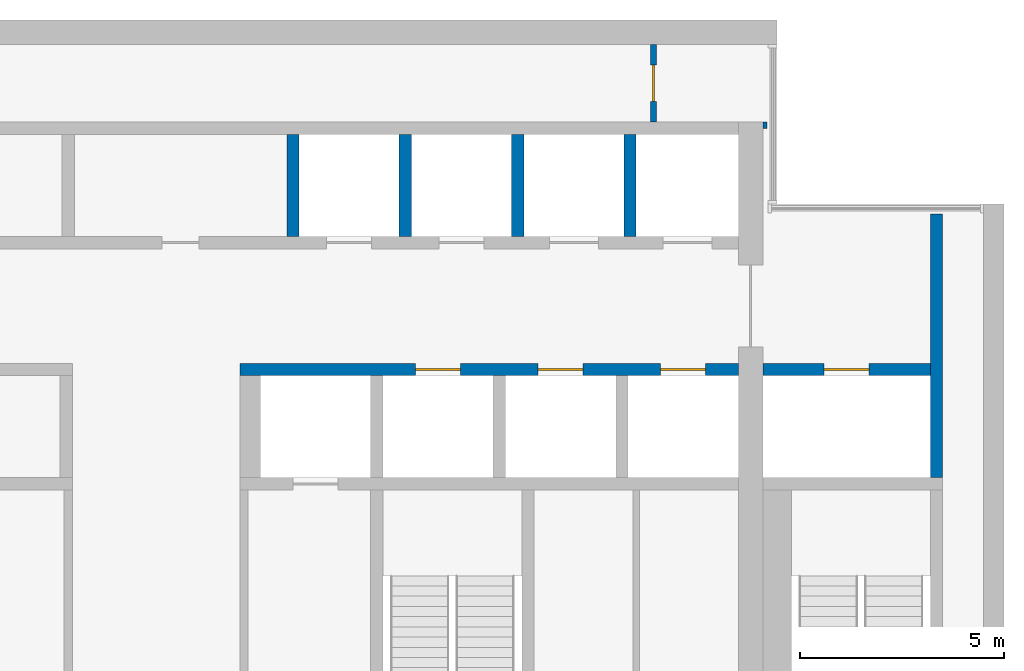
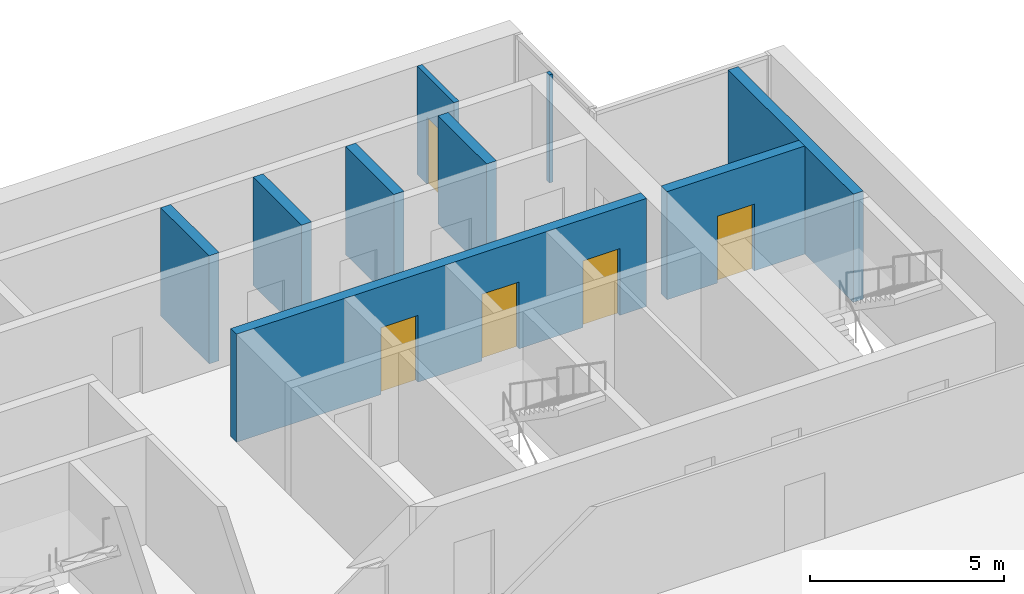
# One storey, part 11 of 14: 9 walls, 5 doors, 5 openings.
"""IFC4 building model written with IfcOpenShell, lengths in metres."""

from ifc_helpers import new_model, si_unit, direction, frame, frame_2d, origin, place, context, subcontext, project, spatial, rectangle, extrude, material, layer, layer_set, type_object, element, fill, save


model = new_model("IFC4")

# Units and contexts
model_context = context("Model", 3, precision=1e-05, world=origin(), true_north=direction((0.0, 1.0)))
body_context = subcontext(model_context, "Body", "Model", "MODEL_VIEW")
ifc_project = project(units=[si_unit("LENGTHUNIT", "METRE"), si_unit("AREAUNIT", "SQUARE_METRE"), si_unit("VOLUMEUNIT", "CUBIC_METRE"), si_unit("PLANEANGLEUNIT", "RADIAN"), si_unit("MASSUNIT", "GRAM", prefix="KILO")], contexts=[model_context])

# Site, building, storey
site_placement = place(None, origin())
site = spatial("IfcSite", under=ifc_project, at=site_placement, CompositionType="ELEMENT")
building_placement = place(site_placement, origin())
building = spatial("IfcBuilding", under=site, at=building_placement, Name="Calvaro Tower", CompositionType="ELEMENT")
storey_placement = place(building_placement, frame((0.0, 0.0, 239.35009765625)))
storey = spatial("IfcBuildingStorey", under=building, at=storey_placement, Name="L60", CompositionType="ELEMENT", Elevation=239.35009765625)

# Wall
ifc_material_1 = material(Name="Blockwork partition", Category="masonry")
ifc_layer_1 = layer(ifc_material_1, 0.10009765625)
ifc_layer_set_1 = layer_set([ifc_layer_1], Name="Blockwork partition")
wall_type_1 = type_object("IfcWallType", Name="Core partition 100 REI 120", PredefinedType="PARTITIONING", material=ifc_layer_set_1)
wall_1_placement = place(storey_placement, frame((60.14990234375, 43.35009765625, 0.0), z_axis=(0.0, 0.0, 1.0), x_axis=(0.0, 1.0, 0.0)))
element("IfcWall", 1, at=wall_1_placement, inside=storey, type_object=wall_type_1, Name="Core partition", PredefinedType="PARTITIONING", context=body_context, shape_type="SweptSolid", body=[
    extrude(rectangle(XDim=0.14990234375, YDim=0.10009765625, at=frame_2d((0.074951171875, 0.0))), origin(), (0.0, 0.0, 1.0), 3.39990234375),
])

# Wall, opening, door
ifc_material_2 = material(Name="Blockwork partition", Category="masonry")
ifc_layer_2 = layer(ifc_material_2, 0.14990234375)
ifc_layer_set_2 = layer_set([ifc_layer_2], Name="Blockwork partition")
wall_type_2 = type_object("IfcWallType", Name="Core partition 150 REI 120", PredefinedType="PARTITIONING", material=ifc_layer_set_2)
wall_2_placement = place(storey_placement, frame((57.425048828125, 45.39990234375, 0.0), z_axis=(0.0, 0.0, 1.0), x_axis=(0.0, -1.0, 0.0)))
wall_2 = element("IfcWall", 2, at=wall_2_placement, inside=storey, type_object=wall_type_2, Name="Core partition", PredefinedType="PARTITIONING", context=body_context, shape_type="SweptSolid", body=[
    extrude(rectangle(XDim=1.89990234375, YDim=0.14990234375, at=frame_2d((0.949951171875, 0.0))), origin(), (0.0, 0.0, 1.0), 3.39990234375),
])
opening_1_placement = place(wall_2_placement, frame((0.5, 0.0, 0.0)))
opening_1 = element("IfcOpeningElement", 3, at=opening_1_placement, cuts=wall_2, Name="Opening RD9E", PredefinedType="OPENING", context=body_context, shape_type="SweptSolid", body=[
    extrude(rectangle(XDim=0.89990234375, YDim=2.10009765625, at=frame_2d((0.449951171875, 1.050048828125))), frame((0.0, 0.0849609375, 0.0), z_axis=(0.0, -1.0, 0.0), x_axis=(1.0, 0.0, 0.0)), (0.0, 0.0, 1.0), 0.169921875),
])
ifc_material_3 = material(Name="Steel door set", Category="steel")
door_type_1 = type_object("IfcDoorType", Name="Room door 900 FD60", OperationType="SINGLE_SWING_LEFT", PredefinedType="DOOR", material=ifc_material_3)
door_1_placement = place(opening_1_placement, origin())
door_1 = element("IfcDoor", 4, at=door_1_placement, inside=storey, type_object=door_type_1, Name="Room door", OperationType="SINGLE_SWING_LEFT", OverallHeight=2.10009765625, OverallWidth=0.89990234375, PredefinedType="DOOR", context=body_context, shape_type="SweptSolid", body=[
    extrude(rectangle(XDim=0.89990234375, YDim=2.10009765625, at=frame_2d((0.449951171875, 1.050048828125))), frame((0.0, 0.02490234375, 0.0), z_axis=(0.0, -1.0, 0.0), x_axis=(1.0, 0.0, 0.0)), (0.0, 0.0, 1.0), 0.050048828125),
])
fill(opening_1, door_1)

# Wall
ifc_material_4 = material(Name="Concrete C40/50", Category="concrete")
ifc_layer_3 = layer(ifc_material_4, 0.300048828125)
ifc_layer_set_3 = layer_set([ifc_layer_3], Name="Concrete C40/50")
wall_type_3 = type_object("IfcWallType", Name="Core wall C40/50 300", PredefinedType="SHEAR", material=ifc_layer_set_3)
wall_3_placement = place(storey_placement, frame((64.35009765625, 34.800048828125, 0.0), z_axis=(0.0, 0.0, 1.0), x_axis=(0.0, 1.0, 0.0)))
element("IfcWall", 5, at=wall_3_placement, inside=storey, type_object=wall_type_3, Name="Core wall, boundary", PredefinedType="SHEAR", context=body_context, shape_type="SweptSolid", body=[
    extrude(rectangle(XDim=6.449951171875, YDim=0.300048828125, at=frame_2d((3.22509765625, 0.0))), origin(), (0.0, 0.0, 1.0), 3.39990234375),
])

# Wall, openings, doors
wall_4_placement = place(storey_placement, frame((47.300048828125, 37.449951171875, 0.0), z_axis=(0.0, 0.0, 1.0), x_axis=(1.0, 0.0, 0.0)))
wall_4 = element("IfcWall", 6, at=wall_4_placement, inside=storey, type_object=wall_type_3, Name="Core wall, lift shaft", PredefinedType="SHEAR", context=body_context, shape_type="SweptSolid", body=[
    extrude(rectangle(XDim=12.199951171875, YDim=0.300048828125, at=frame_2d((6.10009765625, 0.0))), origin(), (0.0, 0.0, 1.0), 3.39990234375),
])
opening_2_placement = place(wall_4_placement, frame((4.300048828125, 0.0, 0.0)))
opening_2 = element("IfcOpeningElement", 7, at=opening_2_placement, cuts=wall_4, Name="Opening HR1", PredefinedType="OPENING", context=body_context, shape_type="SweptSolid", body=[
    extrude(rectangle(XDim=1.10009765625, YDim=2.10009765625, at=frame_2d((0.550048828125, 1.050048828125))), frame((0.0, 0.159912109375, 0.0), z_axis=(0.0, -1.0, 0.0), x_axis=(1.0, 0.0, 0.0)), (0.0, 0.0, 1.0), 0.320068359375),
])
opening_3_placement = place(wall_4_placement, frame((7.300048828125, 0.0, 0.0)))
opening_3 = element("IfcOpeningElement", 8, at=opening_3_placement, cuts=wall_4, Name="Opening HR2", PredefinedType="OPENING", context=body_context, shape_type="SweptSolid", body=[
    extrude(rectangle(XDim=1.10009765625, YDim=2.10009765625, at=frame_2d((0.550048828125, 1.050048828125))), frame((0.0, 0.159912109375, 0.0), z_axis=(0.0, -1.0, 0.0), x_axis=(1.0, 0.0, 0.0)), (0.0, 0.0, 1.0), 0.320068359375),
])
opening_4_placement = place(wall_4_placement, frame((10.300048828125, 0.0, 0.0)))
opening_4 = element("IfcOpeningElement", 9, at=opening_4_placement, cuts=wall_4, Name="Opening HR3", PredefinedType="OPENING", context=body_context, shape_type="SweptSolid", body=[
    extrude(rectangle(XDim=1.10009765625, YDim=2.10009765625, at=frame_2d((0.550048828125, 1.050048828125))), frame((0.0, 0.159912109375, 0.0), z_axis=(0.0, -1.0, 0.0), x_axis=(1.0, 0.0, 0.0)), (0.0, 0.0, 1.0), 0.320068359375),
])
ifc_material_5 = material(Name="Stainless steel", Category="steel")
door_type_2 = type_object("IfcDoorType", Name="Landing door 1100 E 60", OperationType="SLIDING_TO_LEFT", PredefinedType="DOOR", material=ifc_material_5)
door_2_placement = place(opening_2_placement, origin())
door_2 = element("IfcDoor", 10, at=door_2_placement, inside=storey, type_object=door_type_2, Name="Landing door HR1", OperationType="SLIDING_TO_LEFT", OverallHeight=2.10009765625, OverallWidth=1.10009765625, PredefinedType="DOOR", context=body_context, shape_type="SweptSolid", body=[
    extrude(rectangle(XDim=1.10009765625, YDim=2.10009765625, at=frame_2d((0.550048828125, 1.050048828125))), frame((0.0, 0.02490234375, 0.0), z_axis=(0.0, -1.0, 0.0), x_axis=(1.0, 0.0, 0.0)), (0.0, 0.0, 1.0), 0.050048828125),
])
fill(opening_2, door_2)
door_3_placement = place(opening_3_placement, origin())
door_3 = element("IfcDoor", 11, at=door_3_placement, inside=storey, type_object=door_type_2, Name="Landing door HR2", OperationType="SLIDING_TO_LEFT", OverallHeight=2.10009765625, OverallWidth=1.10009765625, PredefinedType="DOOR", context=body_context, shape_type="SweptSolid", body=[
    extrude(rectangle(XDim=1.10009765625, YDim=2.10009765625, at=frame_2d((0.550048828125, 1.050048828125))), frame((0.0, 0.02490234375, 0.0), z_axis=(0.0, -1.0, 0.0), x_axis=(1.0, 0.0, 0.0)), (0.0, 0.0, 1.0), 0.050048828125),
])
fill(opening_3, door_3)
door_4_placement = place(opening_4_placement, origin())
door_4 = element("IfcDoor", 12, at=door_4_placement, inside=storey, type_object=door_type_2, Name="Landing door HR3", OperationType="SLIDING_TO_LEFT", OverallHeight=2.10009765625, OverallWidth=1.10009765625, PredefinedType="DOOR", context=body_context, shape_type="SweptSolid", body=[
    extrude(rectangle(XDim=1.10009765625, YDim=2.10009765625, at=frame_2d((0.550048828125, 1.050048828125))), frame((0.0, 0.02490234375, 0.0), z_axis=(0.0, -1.0, 0.0), x_axis=(1.0, 0.0, 0.0)), (0.0, 0.0, 1.0), 0.050048828125),
])
fill(opening_4, door_4)

# Wall, opening, door
wall_5_placement = place(storey_placement, frame((60.10009765625, 37.449951171875, 0.0), z_axis=(0.0, 0.0, 1.0), x_axis=(1.0, 0.0, 0.0)))
wall_5 = element("IfcWall", 13, at=wall_5_placement, inside=storey, type_object=wall_type_3, Name="Core wall, lift shaft", PredefinedType="SHEAR", context=body_context, shape_type="SweptSolid", body=[
    extrude(rectangle(XDim=4.099853515625, YDim=0.300048828125, at=frame_2d((2.0498046875, 0.0))), origin(), (0.0, 0.0, 1.0), 3.39990234375),
])
opening_5_placement = place(wall_5_placement, frame((1.5, 0.0, 0.0)))
opening_5 = element("IfcOpeningElement", 14, at=opening_5_placement, cuts=wall_5, Name="Opening FF3", PredefinedType="OPENING", context=body_context, shape_type="SweptSolid", body=[
    extrude(rectangle(XDim=1.10009765625, YDim=2.10009765625, at=frame_2d((0.550048828125, 1.050048828125))), frame((0.0, 0.159912109375, 0.0), z_axis=(0.0, -1.0, 0.0), x_axis=(1.0, 0.0, 0.0)), (0.0, 0.0, 1.0), 0.320068359375),
])
door_5_placement = place(opening_5_placement, origin())
door_5 = element("IfcDoor", 15, at=door_5_placement, inside=storey, type_object=door_type_2, Name="Landing door FF3", OperationType="SLIDING_TO_LEFT", OverallHeight=2.10009765625, OverallWidth=1.10009765625, PredefinedType="DOOR", context=body_context, shape_type="SweptSolid", body=[
    extrude(rectangle(XDim=1.10009765625, YDim=2.10009765625, at=frame_2d((0.550048828125, 1.050048828125))), frame((0.0, 0.02490234375, 0.0), z_axis=(0.0, -1.0, 0.0), x_axis=(1.0, 0.0, 0.0)), (0.0, 0.0, 1.0), 0.050048828125),
])
fill(opening_5, door_5)

# Walls
for number, where, z_axis, x_axis, name in (
    (16, (48.60009765625, 40.699951171875, 0.0), (0.0, 0.0, 1.0), (0.0, 1.0, 0.0), "Core wall, lift shaft"),
    (17, (51.35009765625, 40.699951171875, 0.0), (0.0, 0.0, 1.0), (0.0, 1.0, 0.0), "Core wall, lift shaft"),
    (18, (54.10009765625, 40.699951171875, 0.0), (0.0, 0.0, 1.0), (0.0, 1.0, 0.0), "Core wall, lift shaft"),
    (19, (56.85009765625, 40.699951171875, 0.0), (0.0, 0.0, 1.0), (0.0, 1.0, 0.0), "Core wall, lift shaft"),
):
    element("IfcWall", number, at=place(storey_placement, frame(where, z_axis=z_axis, x_axis=x_axis)), inside=storey, type_object=wall_type_3, Name=name, PredefinedType="SHEAR", context=body_context, shape_type="SweptSolid", body=[
        extrude(rectangle(XDim=2.5, YDim=0.300048828125, at=frame_2d((1.25, 0.0))), origin(), (0.0, 0.0, 1.0), 3.39990234375),
    ])

save(model, "model.ifc")
